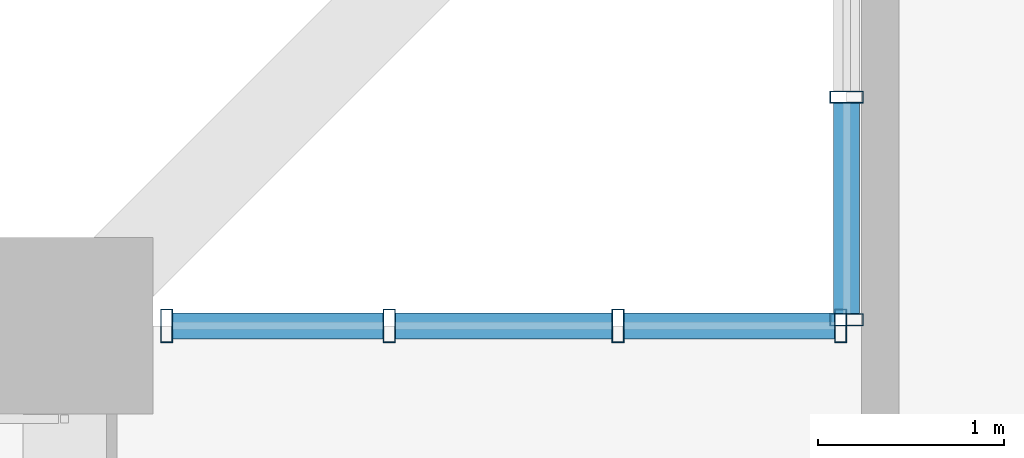
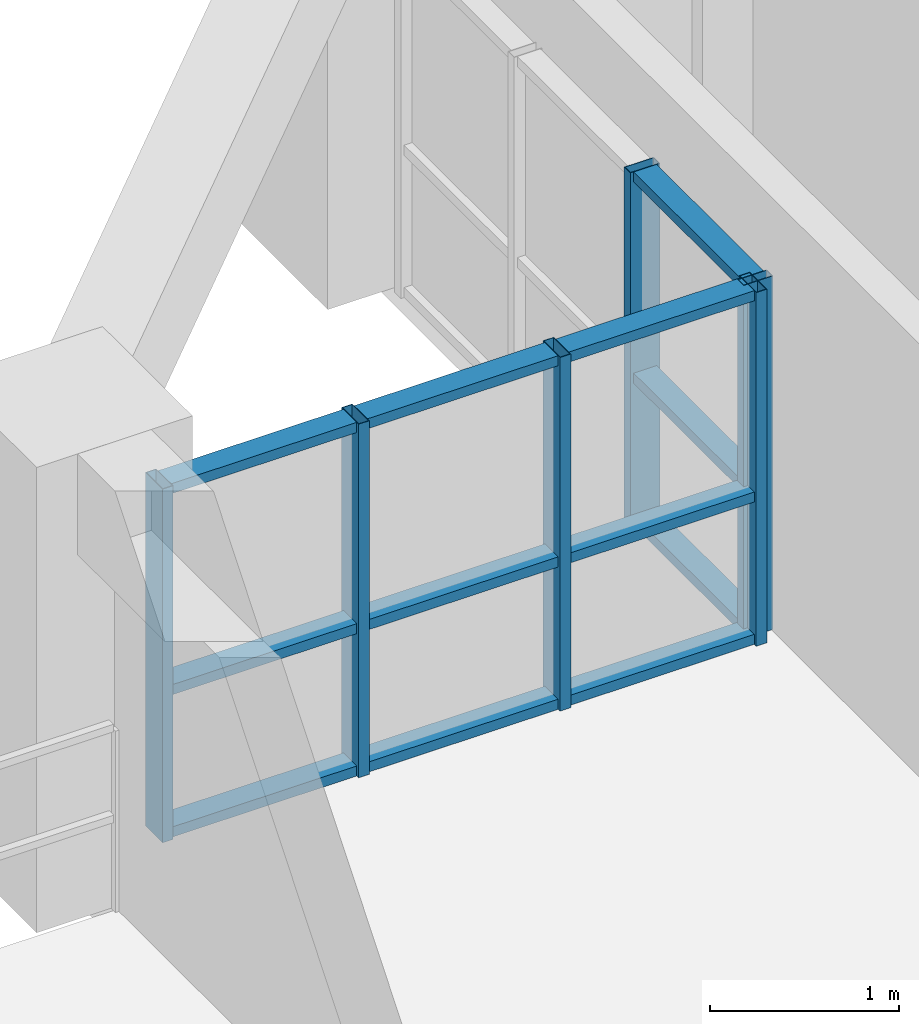
# One storey, part 6 of 25: 18 members, 2 elements without a shape of their own.
"""IFC4 building model written with IfcOpenShell, lengths in metres."""

from ifc_helpers import new_model, si_unit, direction, frame, origin, origin_2d, place, context, subcontext, project, spatial, hollow_rectangle, extrude, source, transform, mapped, material, layer, layer_set, material_profile, profile_set, type_object, element, aggregate, save


model = new_model("IFC4")

# Units and contexts
model_context = context("Model", 3, precision=1e-05, world=origin(), true_north=direction((0.0, 1.0)))
body_context = subcontext(model_context, "Body", "Model", "MODEL_VIEW")
ifc_project = project(units=[si_unit("LENGTHUNIT", "METRE"), si_unit("AREAUNIT", "SQUARE_METRE"), si_unit("VOLUMEUNIT", "CUBIC_METRE"), si_unit("PLANEANGLEUNIT", "RADIAN"), si_unit("MASSUNIT", "GRAM", prefix="KILO")], contexts=[model_context])

# Site, building, storey
site_placement = place(None, origin())
site = spatial("IfcSite", under=ifc_project, at=site_placement, CompositionType="ELEMENT")
building_placement = place(site_placement, origin())
building = spatial("IfcBuilding", under=site, at=building_placement, Name="Saelheon Loggia Tower", CompositionType="ELEMENT")
storey_placement = place(building_placement, frame((0.0, 0.0, 80.85009765625)))
storey = spatial("IfcBuildingStorey", under=building, at=storey_placement, Name="L25", CompositionType="ELEMENT", Elevation=80.85009765625)

# Curtain wall, members
ifc_material_1 = material(Name="Thermal-Break Aluminium and Triple Low-E Glass", Category="aluminium")
ifc_layer = layer(ifc_material_1, 0.159912109375)
ifc_layer_set = layer_set([ifc_layer], Name="Thermal-Break Aluminium and Triple Low-E Glass")
curtain_wall_type = type_object("IfcCurtainWallType", Name="CW_TowerLoggiaLow", PredefinedType="NOTDEFINED", material=ifc_layer_set)
curtain_wall_1_placement = place(storey_placement, origin())
curtain_wall_1 = element("IfcCurtainWall", 1, at=curtain_wall_1_placement, inside=storey, type_object=curtain_wall_type, Name="L25 Corner Notch Glazing NW1", PredefinedType="NOTDEFINED")
ifc_material_2 = material(Name="Anodised Aluminium 6063-T6", Category="aluminium")
ifc_material_profile_1 = material_profile(ifc_material_2, hollow_rectangle(XDim=0.06494140625, YDim=0.179931640625, WallThickness=0.00390625, at=origin_2d()), Name="RHS-180x65x4")
ifc_profile_set_1 = profile_set([ifc_material_profile_1], Name="Anodised Aluminium 6063-T6")
member_type_1 = type_object("IfcMemberType", Name="CW_TowerLoggiaLow_Mullion", PredefinedType="MULLION", material=ifc_profile_set_1)
shared_shape_1 = source(origin(), body_context, "Body", "SweptSolid", [
    extrude(hollow_rectangle(XDim=0.06494140625, YDim=0.179931640625, WallThickness=0.00390625, at=origin_2d()), origin(), (0.0, 0.0, 1.0), 2.27978515625),
])
member_1_placement = place(storey_placement, frame((16.199951171875, 46.83251953125, 0.0), z_axis=(0.0, 0.0, 1.0), x_axis=(0.0, 1.0, 0.0)))
member_1 = element("IfcMember", 2, at=member_1_placement, type_object=member_type_1, Name="CW3 mullion 1", PredefinedType="MULLION", context=body_context, shape_type="MappedRepresentation", body=[
    mapped(shared_shape_1, transform((0.0, 0.0, 0.0), scale=1.0)),
])
member_2_placement = place(storey_placement, frame((16.199951171875, 48.0283203125, 0.0), z_axis=(0.0, 0.0, 1.0), x_axis=(0.0, 1.0, 0.0)))
member_2 = element("IfcMember", 3, at=member_2_placement, type_object=member_type_1, Name="CW3 mullion 2", PredefinedType="MULLION", context=body_context, shape_type="MappedRepresentation", body=[
    mapped(shared_shape_1, transform((0.0, 0.0, 0.0), scale=1.0)),
])

curtain_wall_2_placement = place(storey_placement, origin())
curtain_wall_2 = element("IfcCurtainWall", 4, at=curtain_wall_2_placement, inside=storey, type_object=curtain_wall_type, Name="L25 Corner Notch Glazing NW2", PredefinedType="NOTDEFINED")
member_3_placement = place(storey_placement, frame((12.547607421875, 46.800048828125, 0.0), z_axis=(0.0, 0.0, 1.0), x_axis=(1.0, 0.0, 0.0)))
member_3 = element("IfcMember", 5, at=member_3_placement, type_object=member_type_1, Name="CW3 mullion 1", PredefinedType="MULLION", context=body_context, shape_type="MappedRepresentation", body=[
    mapped(shared_shape_1, transform((0.0, 0.0, 0.0), scale=1.0)),
])
member_4_placement = place(storey_placement, frame((13.743408203125, 46.800048828125, 0.0), z_axis=(0.0, 0.0, 1.0), x_axis=(1.0, 0.0, 0.0)))
member_4 = element("IfcMember", 6, at=member_4_placement, type_object=member_type_1, Name="CW3 mullion 2", PredefinedType="MULLION", context=body_context, shape_type="MappedRepresentation", body=[
    mapped(shared_shape_1, transform((0.0, 0.0, 0.0), scale=1.0)),
])
member_5_placement = place(storey_placement, frame((14.9716796875, 46.800048828125, 0.0), z_axis=(0.0, 0.0, 1.0), x_axis=(1.0, 0.0, 0.0)))
member_5 = element("IfcMember", 7, at=member_5_placement, type_object=member_type_1, Name="CW3 mullion 3", PredefinedType="MULLION", context=body_context, shape_type="MappedRepresentation", body=[
    mapped(shared_shape_1, transform((0.0, 0.0, 0.0), scale=1.0)),
])
member_6_placement = place(storey_placement, frame((16.16748046875, 46.800048828125, 0.0), z_axis=(0.0, 0.0, 1.0), x_axis=(1.0, 0.0, 0.0)))
member_6 = element("IfcMember", 8, at=member_6_placement, type_object=member_type_1, Name="CW3 mullion 4", PredefinedType="MULLION", context=body_context, shape_type="MappedRepresentation", body=[
    mapped(shared_shape_1, transform((0.0, 0.0, 0.0), scale=1.0)),
])

# Member
ifc_material_profile_2 = material_profile(ifc_material_2, hollow_rectangle(XDim=0.06494140625, YDim=0.139892578125, WallThickness=0.00390625, at=origin_2d()), Name="RHS-140x65x4")
ifc_profile_set_2 = profile_set([ifc_material_profile_2], Name="Anodised Aluminium 6063-T6")
member_type_2 = type_object("IfcMemberType", Name="CW_TowerLoggiaLow_Transom", PredefinedType="USERDEFINED", material=ifc_profile_set_2)
shared_shape_2 = source(origin(), body_context, "Body", "SweptSolid", [
    extrude(hollow_rectangle(XDim=0.06494140625, YDim=0.139892578125, WallThickness=0.00390625, at=origin_2d()), origin(), (0.0, 0.0, 1.0), 1.130859375),
])
member_7_placement = place(storey_placement, frame((16.199951171875, 46.864990234375, 0.032470703125), z_axis=(0.0, 1.0, 0.0), x_axis=(0.0, 0.0, 1.0)))
member_7 = element("IfcMember", 9, at=member_7_placement, type_object=member_type_2, Name="CW3 transom 1.1", ObjectType="TRANSOM", PredefinedType="USERDEFINED", context=body_context, shape_type="MappedRepresentation", body=[
    mapped(shared_shape_2, transform((0.0, 0.0, 0.0), scale=1.0)),
])

member_8_placement = place(storey_placement, frame((16.199951171875, 46.864990234375, 0.949951171875), z_axis=(0.0, 1.0, 0.0), x_axis=(0.0, 0.0, 1.0)))
member_8 = element("IfcMember", 10, at=member_8_placement, type_object=member_type_2, Name="CW3 transom 1.2", ObjectType="TRANSOM", PredefinedType="USERDEFINED", context=body_context, shape_type="MappedRepresentation", body=[
    mapped(shared_shape_2, transform((0.0, 0.0, 0.0), scale=1.0)),
])

member_9_placement = place(storey_placement, frame((16.199951171875, 46.864990234375, 2.247314453125), z_axis=(0.0, 1.0, 0.0), x_axis=(0.0, 0.0, 1.0)))
member_9 = element("IfcMember", 11, at=member_9_placement, type_object=member_type_2, Name="CW3 transom 1.3", ObjectType="TRANSOM", PredefinedType="USERDEFINED", context=body_context, shape_type="MappedRepresentation", body=[
    mapped(shared_shape_2, transform((0.0, 0.0, 0.0), scale=1.0)),
])

aggregate(curtain_wall_1, [member_1, member_2, member_7, member_8, member_9])

member_10_placement = place(storey_placement, frame((12.580078125, 46.800048828125, 0.032470703125), z_axis=(1.0, 0.0, 0.0), x_axis=(0.0, 0.0, 1.0)))
member_10 = element("IfcMember", 12, at=member_10_placement, type_object=member_type_2, Name="CW3 transom 1.1", ObjectType="TRANSOM", PredefinedType="USERDEFINED", context=body_context, shape_type="MappedRepresentation", body=[
    mapped(shared_shape_2, transform((0.0, 0.0, 0.0), scale=1.0)),
])

member_11_placement = place(storey_placement, frame((12.580078125, 46.800048828125, 0.949951171875), z_axis=(1.0, 0.0, 0.0), x_axis=(0.0, 0.0, 1.0)))
member_11 = element("IfcMember", 13, at=member_11_placement, type_object=member_type_2, Name="CW3 transom 1.2", ObjectType="TRANSOM", PredefinedType="USERDEFINED", context=body_context, shape_type="MappedRepresentation", body=[
    mapped(shared_shape_2, transform((0.0, 0.0, 0.0), scale=1.0)),
])

member_12_placement = place(storey_placement, frame((12.580078125, 46.800048828125, 2.247314453125), z_axis=(1.0, 0.0, 0.0), x_axis=(0.0, 0.0, 1.0)))
member_12 = element("IfcMember", 14, at=member_12_placement, type_object=member_type_2, Name="CW3 transom 1.3", ObjectType="TRANSOM", PredefinedType="USERDEFINED", context=body_context, shape_type="MappedRepresentation", body=[
    mapped(shared_shape_2, transform((0.0, 0.0, 0.0), scale=1.0)),
])

member_13_placement = place(storey_placement, frame((15.004150390625, 46.800048828125, 0.032470703125), z_axis=(1.0, 0.0, 0.0), x_axis=(0.0, 0.0, 1.0)))
member_13 = element("IfcMember", 15, at=member_13_placement, type_object=member_type_2, Name="CW3 transom 3.1", ObjectType="TRANSOM", PredefinedType="USERDEFINED", context=body_context, shape_type="MappedRepresentation", body=[
    mapped(shared_shape_2, transform((0.0, 0.0, 0.0), scale=1.0)),
])

member_14_placement = place(storey_placement, frame((15.004150390625, 46.800048828125, 0.949951171875), z_axis=(1.0, 0.0, 0.0), x_axis=(0.0, 0.0, 1.0)))
member_14 = element("IfcMember", 16, at=member_14_placement, type_object=member_type_2, Name="CW3 transom 3.2", ObjectType="TRANSOM", PredefinedType="USERDEFINED", context=body_context, shape_type="MappedRepresentation", body=[
    mapped(shared_shape_2, transform((0.0, 0.0, 0.0), scale=1.0)),
])

member_15_placement = place(storey_placement, frame((15.004150390625, 46.800048828125, 2.247314453125), z_axis=(1.0, 0.0, 0.0), x_axis=(0.0, 0.0, 1.0)))
member_15 = element("IfcMember", 17, at=member_15_placement, type_object=member_type_2, Name="CW3 transom 3.3", ObjectType="TRANSOM", PredefinedType="USERDEFINED", context=body_context, shape_type="MappedRepresentation", body=[
    mapped(shared_shape_2, transform((0.0, 0.0, 0.0), scale=1.0)),
])

shared_shape_3 = source(origin(), body_context, "Body", "SweptSolid", [
    extrude(hollow_rectangle(XDim=0.06494140625, YDim=0.139892578125, WallThickness=0.00390625, at=origin_2d()), origin(), (0.0, 0.0, 1.0), 1.163330078125),
])
member_16_placement = place(storey_placement, frame((13.77587890625, 46.800048828125, 0.032470703125), z_axis=(1.0, 0.0, 0.0), x_axis=(0.0, 0.0, 1.0)))
member_16 = element("IfcMember", 18, at=member_16_placement, type_object=member_type_2, Name="CW3 transom 2.1", ObjectType="TRANSOM", PredefinedType="USERDEFINED", context=body_context, shape_type="MappedRepresentation", body=[
    mapped(shared_shape_3, transform((0.0, 0.0, 0.0), scale=1.0)),
])

member_17_placement = place(storey_placement, frame((13.77587890625, 46.800048828125, 0.949951171875), z_axis=(1.0, 0.0, 0.0), x_axis=(0.0, 0.0, 1.0)))
member_17 = element("IfcMember", 19, at=member_17_placement, type_object=member_type_2, Name="CW3 transom 2.2", ObjectType="TRANSOM", PredefinedType="USERDEFINED", context=body_context, shape_type="MappedRepresentation", body=[
    mapped(shared_shape_3, transform((0.0, 0.0, 0.0), scale=1.0)),
])

member_18_placement = place(storey_placement, frame((13.77587890625, 46.800048828125, 2.247314453125), z_axis=(1.0, 0.0, 0.0), x_axis=(0.0, 0.0, 1.0)))
member_18 = element("IfcMember", 20, at=member_18_placement, type_object=member_type_2, Name="CW3 transom 2.3", ObjectType="TRANSOM", PredefinedType="USERDEFINED", context=body_context, shape_type="MappedRepresentation", body=[
    mapped(shared_shape_3, transform((0.0, 0.0, 0.0), scale=1.0)),
])

aggregate(curtain_wall_2, [member_3, member_4, member_5, member_6, member_10, member_11, member_12, member_16, member_17, member_18, member_13, member_14, member_15])

save(model, "model.ifc")
